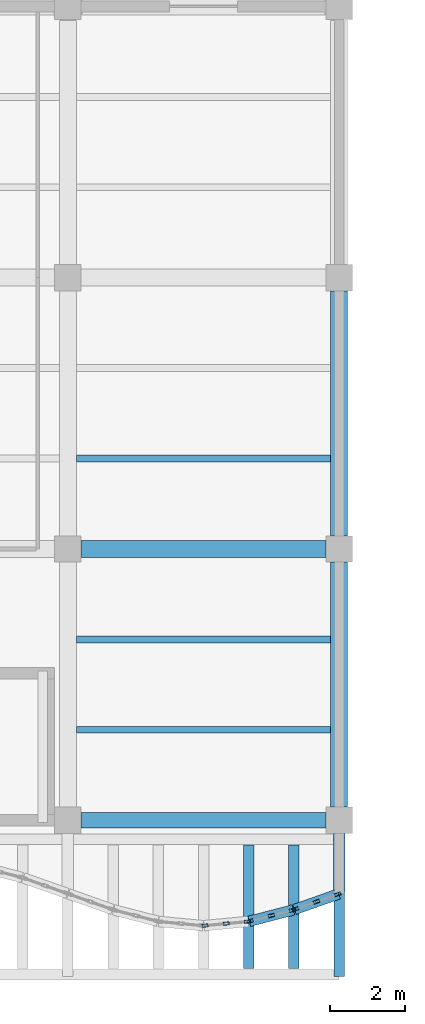
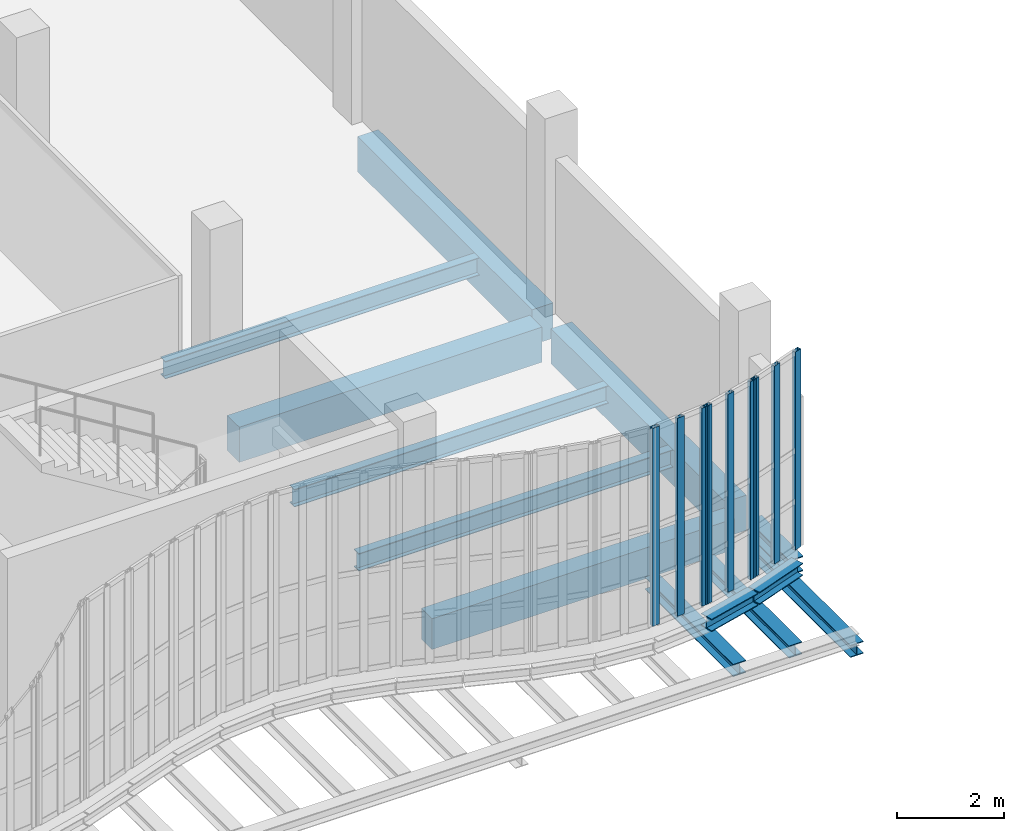
# One storey, part 39 of 108: 13 beams, 9 members, 3 elements without a shape of their own.
"""IFC4 building model written with IfcOpenShell, lengths in metres."""

import ifcopenshell
import ifcopenshell.guid

model = None  # the IFC model being written
_history = None  # IfcOwnerHistory: only IFC2X3 demands one
_inside = {}  # id of a spatial element -> (the spatial element, [elements in it])
_under = {}  # id of a project, library or spatial element -> (it, [spatial elements below it])
_declared = {}  # id of a project -> (the project, [libraries it declares])
_typed = {}  # id of a type object -> (the type object, [elements of that type])
_made_of = {}  # id of a material, layer set ... -> (it, [elements and type objects made of it])


def new_model(schema):
    """Start an empty IFC model of exactly this schema.

    Asked for "IFC4X3", IfcOpenShell would pick the latest addendum, in which some entities
    have other attributes; the version numbers below select the first issue.
    IFC2X3 requires an IfcOwnerHistory on every rooted entity: one is made here for all.
    """
    global model, _history
    if schema == "IFC4X3":
        model = ifcopenshell.file(schema_version=(4, 3, 0, 0))
    else:
        model = ifcopenshell.file(schema=schema)
    _inside.clear()
    _under.clear()
    _declared.clear()
    _typed.clear()
    _made_of.clear()
    _history = None
    if model.schema == "IFC2X3":
        org = make("IfcOrganization", Name="unknown")
        user = make(
            "IfcPersonAndOrganization",
            ThePerson=make("IfcPerson", FamilyName="unknown"),
            TheOrganization=org,
        )
        app = make(
            "IfcApplication",
            ApplicationDeveloper=org,
            Version="unknown",
            ApplicationFullName="unknown",
            ApplicationIdentifier="unknown",
        )
        _history = make(
            "IfcOwnerHistory",
            OwningUser=user,
            OwningApplication=app,
            ChangeAction="ADDED",
            CreationDate=0,
        )
    return model


def make(cls, **values):
    """One entity of the class cls with the attributes given. An attribute that is None is left unset."""
    return model.create_entity(
        cls, **{name: value for name, value in values.items() if value is not None}
    )


def rooted(cls, **values):
    """An entity with a GlobalId (a new one), such as an element, a storey or a relation."""
    return make(cls, GlobalId=ifcopenshell.guid.new(), OwnerHistory=_history, **values)


def si_unit(unit_type, name, prefix=None):
    """IfcSIUnit, for example si_unit("LENGTHUNIT", "METRE", prefix="MILLI")."""
    return make("IfcSIUnit", UnitType=unit_type, Prefix=prefix, Name=name)


def assignment(units):
    """IfcUnitAssignment: the units of a project."""
    return None if units is None else make("IfcUnitAssignment", Units=units)


def point(xyz):
    """IfcCartesianPoint."""
    return None if xyz is None else make("IfcCartesianPoint", Coordinates=xyz)


def direction(xyz):
    """IfcDirection."""
    return None if xyz is None else make("IfcDirection", DirectionRatios=xyz)


def frame(location, z_axis=None, x_axis=None):
    """IfcAxis2Placement3D, a coordinate frame: its origin and axes. An axis left out is left unset."""
    return make(
        "IfcAxis2Placement3D",
        Location=point(location),
        Axis=direction(z_axis),
        RefDirection=direction(x_axis),
    )


def frame_2d(location, x_axis=None):
    """IfcAxis2Placement2D, a coordinate frame in the plane: its origin and x axis."""
    return make(
        "IfcAxis2Placement2D", Location=point(location), RefDirection=direction(x_axis)
    )


def origin():
    """The frame at (0, 0, 0) with its axes left unset."""
    return frame((0.0, 0.0, 0.0))


def origin_2d():
    """The frame at (0, 0) in the plane with its x axis left unset."""
    return frame_2d((0.0, 0.0))


def place(relative_to, where):
    """IfcLocalPlacement: puts the frame where relative to a parent placement (None: the world)."""
    return make(
        "IfcLocalPlacement", PlacementRelTo=relative_to, RelativePlacement=where
    )


def context(
    kind, dimensions, precision=None, world=None, true_north=None, identifier=None
):
    """IfcGeometricRepresentationContext, for example the 3D "Model" context."""
    return make(
        "IfcGeometricRepresentationContext",
        ContextIdentifier=identifier,
        ContextType=kind,
        CoordinateSpaceDimension=dimensions,
        Precision=precision,
        WorldCoordinateSystem=world,
        TrueNorth=true_north,
    )


def subcontext(parent, identifier, kind, view, scale=None):
    """IfcGeometricRepresentationSubContext, for example "Body" below "Model"."""
    return make(
        "IfcGeometricRepresentationSubContext",
        ContextIdentifier=identifier,
        ContextType=kind,
        ParentContext=parent,
        TargetScale=scale,
        TargetView=view,
    )


def project(units=None, contexts=None):
    """IfcProject with its units and contexts."""
    return rooted(
        "IfcProject",
        Name="project",
        RepresentationContexts=contexts,
        UnitsInContext=assignment(units),
    )


def spatial(cls, under=None, at=None, **own):
    """A site, building, storey or space (cls), placed at a placement, below another one or the project."""
    s = rooted(cls, ObjectPlacement=at, **own)
    if under is not None:
        _under.setdefault(under.id(), (under, []))[1].append(s)
    return s


def profile(cls, at=None, kind="AREA", **sizes):
    """A parametric profile (cls). Its sizes go by their IFC names, for example OverallWidth=200.0."""
    return make(cls, ProfileType=kind, Position=at, **sizes)


def rectangle(**sizes):
    """IfcRectangleProfileDef."""
    return profile("IfcRectangleProfileDef", **sizes)


def hollow_rectangle(**sizes):
    """IfcRectangleHollowProfileDef."""
    return profile("IfcRectangleHollowProfileDef", **sizes)


def i_section(**sizes):
    """IfcIShapeProfileDef."""
    return profile("IfcIShapeProfileDef", **sizes)


def extrude(swept, where, along, depth):
    """IfcExtrudedAreaSolid: the profile swept, set in the frame where, extruded along a direction by depth."""
    return make(
        "IfcExtrudedAreaSolid",
        SweptArea=swept,
        Position=where,
        ExtrudedDirection=direction(along),
        Depth=depth,
    )


def shape(context_of_items, identifier, shape_type, items):
    """IfcShapeRepresentation: the items that make up one representation, for example the "Body"."""
    return make(
        "IfcShapeRepresentation",
        ContextOfItems=context_of_items,
        RepresentationIdentifier=identifier,
        RepresentationType=shape_type,
        Items=items,
    )


def material(Name=None, Category=None):
    """IfcMaterial."""
    return make("IfcMaterial", Name=Name, Category=Category)


def layer(
    of_material, thickness, ventilated=None, Name=None, Category=None, Priority=None
):
    """IfcMaterialLayer: one layer of a wall or slab, of a material (None: an air gap)."""
    return make(
        "IfcMaterialLayer",
        Material=of_material,
        LayerThickness=thickness,
        IsVentilated=ventilated,
        Name=Name,
        Category=Category,
        Priority=Priority,
    )


def layer_set(layers, Name=None):
    """IfcMaterialLayerSet."""
    return make("IfcMaterialLayerSet", MaterialLayers=layers, LayerSetName=Name)


def material_profile(
    of_material, cross_section, Name=None, Category=None, Priority=None
):
    """IfcMaterialProfile: a cross section and its material."""
    return make(
        "IfcMaterialProfile",
        Name=Name,
        Material=of_material,
        Profile=cross_section,
        Priority=Priority,
        Category=Category,
    )


def profile_set(profiles, Name=None, composite=None):
    """IfcMaterialProfileSet."""
    return make(
        "IfcMaterialProfileSet",
        Name=Name,
        MaterialProfiles=profiles,
        CompositeProfile=composite,
    )


def made_of(thing, what):
    """Note that an element or type object is made of a material, layer set ...; save() writes the relation."""
    if what is not None:
        _made_of.setdefault(what.id(), (what, []))[1].append(thing)
    return thing


def type_object(cls, material=None, **own):
    """A type object (cls), such as IfcWallType, which elements share."""
    return made_of(rooted(cls, **own), material)


def element(
    cls,
    number,
    at=None,
    inside=None,
    cuts=None,
    type_object=None,
    material=None,
    context=None,
    identifier="Body",
    shape_type=None,
    held_by="IfcProductDefinitionShape",
    body=None,
    shapes=None,
    **own,
):
    """One element of the class cls, such as IfcWall. Its Tag is "e" and its number.

    at: its placement. inside: the storey or other place that contains it. cuts: it is an
    opening in that element (IfcRelVoidsElement). A single representation is given by context,
    identifier, shape_type and body (its items); several are given by shapes. held_by: the class
    of the entity that holds the representations. save() writes the other relations.
    """
    e = rooted(cls, Tag="e%d" % number, ObjectPlacement=at, **own)
    if body is not None:
        shapes = [shape(context, identifier, shape_type, body)]
    if shapes is not None:
        e.Representation = make(held_by, Representations=shapes)
    if inside is not None:
        _inside.setdefault(inside.id(), (inside, []))[1].append(e)
    if cuts is not None:
        rooted(
            "IfcRelVoidsElement", RelatingBuildingElement=cuts, RelatedOpeningElement=e
        )
    if type_object is not None:
        _typed.setdefault(type_object.id(), (type_object, []))[1].append(e)
    return made_of(e, material)


def aggregate(whole, parts):
    """IfcRelAggregates: a whole, such as a stair, and the parts it consists of."""
    return rooted("IfcRelAggregates", RelatingObject=whole, RelatedObjects=parts)


def save(model, path):
    """Write the relations noted so far, then the file.

    IfcRelAggregates (storeys below a building ...), IfcRelContainedInSpatialStructure (elements
    in a storey), IfcRelDefinesByType, IfcRelAssociatesMaterial and IfcRelDeclares: one each for
    every whole, place, type object, material and project.
    """
    for whole, parts in _under.values():
        aggregate(whole, parts)
    for where, things in _inside.values():
        rooted(
            "IfcRelContainedInSpatialStructure",
            RelatedElements=things,
            RelatingStructure=where,
        )
    for kind, things in _typed.values():
        rooted("IfcRelDefinesByType", RelatedObjects=things, RelatingType=kind)
    for what, things in _made_of.values():
        rooted("IfcRelAssociatesMaterial", RelatedObjects=things, RelatingMaterial=what)
    for by, libraries in _declared.values():
        rooted("IfcRelDeclares", RelatingContext=by, RelatedDefinitions=libraries)
    model.write(path)


model = new_model("IFC4")

# Units and contexts
model_context = context("Model", 3, precision=1e-05, world=origin(), true_north=direction((0.0, 1.0)))
body_context = subcontext(model_context, "Body", "Model", "MODEL_VIEW")
ifc_project = project(units=[si_unit("LENGTHUNIT", "METRE"), si_unit("AREAUNIT", "SQUARE_METRE"), si_unit("VOLUMEUNIT", "CUBIC_METRE"), si_unit("PLANEANGLEUNIT", "RADIAN"), si_unit("MASSUNIT", "GRAM", prefix="KILO"), si_unit("THERMODYNAMICTEMPERATUREUNIT", "KELVIN"), si_unit("POWERUNIT", "WATT")], contexts=[model_context])

# Site, building, storey
site_placement = place(None, origin())
site = spatial("IfcSite", under=ifc_project, at=site_placement, CompositionType="ELEMENT")
building_placement = place(site_placement, origin())
building = spatial("IfcBuilding", under=site, at=building_placement, Name="Kaldorven Railside Theatre", CompositionType="ELEMENT")
storey_placement = place(building_placement, frame((0.0, 0.0, 5.39990234375)))
storey = spatial("IfcBuildingStorey", under=building, at=storey_placement, Name="L01", CompositionType="ELEMENT", Elevation=5.39990234375)

# Beams
ifc_material_1 = material(Name="Steel S355", Category="steel")
ifc_material_profile_1 = material_profile(ifc_material_1, i_section(OverallWidth=0.280029296875, OverallDepth=0.280029296875, WebThickness=0.010498046875, FlangeThickness=0.01806640625, at=origin_2d()), Name="HEB 280")
ifc_profile_set_1 = profile_set([ifc_material_profile_1], Name="Steel S355")
beam_type_1 = type_object("IfcBeamType", Name="BM-HEB280", PredefinedType="SPANDREL", material=ifc_profile_set_1)
beam_1_placement = place(storey_placement, frame((123.199951171875, 15.050048828125, -1.0), z_axis=(0.0, 1.0, 0.0), x_axis=(-1.0, 0.0, 0.0)))
element("IfcBeam", 1, at=beam_1_placement, inside=storey, type_object=beam_type_1, Name="L01 Sinusoidal Lower Cantilever Girder FOB-K011", PredefinedType="SPANDREL", context=body_context, shape_type="SweptSolid", body=[
    extrude(i_section(OverallWidth=0.280029296875, OverallDepth=0.280029296875, WebThickness=0.010498046875, FlangeThickness=0.01806640625, at=origin_2d()), origin(), (0.0, 0.0, 1.0), 3.800048828125),
])
beam_2_placement = place(storey_placement, frame((120.814453125, 16.517578125, -0.43994140625), z_axis=(0.967980555895, 0.25102518481, 0.0), x_axis=(-0.25102518481, 0.967980555895, 0.0)))
element("IfcBeam", 2, at=beam_2_placement, inside=storey, type_object=beam_type_1, Name="L01 Sinusoidal Flute Edge Spandrel FSB-071", PredefinedType="SPANDREL", context=body_context, shape_type="SweptSolid", body=[
    extrude(i_section(OverallWidth=0.280029296875, OverallDepth=0.280029296875, WebThickness=0.010498046875, FlangeThickness=0.01806640625, at=origin_2d()), origin(), (0.0, 0.0, 1.0), 1.2099609375),
])
beam_3_placement = place(storey_placement, frame((120.800048828125, 15.260009765625, -0.719970703125), z_axis=(0.0, 1.0, 0.0), x_axis=(-1.0, 0.0, 0.0)))
element("IfcBeam", 3, at=beam_3_placement, inside=storey, type_object=beam_type_1, Name="L01 Sinusoidal Diaphragm Rib Outrigger FOB-M071", PredefinedType="SPANDREL", context=body_context, shape_type="SweptSolid", body=[
    extrude(i_section(OverallWidth=0.280029296875, OverallDepth=0.280029296875, WebThickness=0.010498046875, FlangeThickness=0.01806640625, at=origin_2d()), origin(), (0.0, 0.0, 1.0), 3.280029296875),
])
beam_4_placement = place(storey_placement, frame((122.01416015625, 16.830078125, -0.43994140625), z_axis=(0.942605331688, 0.333908952671, 0.0), x_axis=(-0.333908952671, 0.942605331688, 0.0)))
element("IfcBeam", 4, at=beam_4_placement, inside=storey, type_object=beam_type_1, Name="L01 Sinusoidal Flute Edge Spandrel FSB-072", PredefinedType="SPANDREL", context=body_context, shape_type="SweptSolid", body=[
    extrude(i_section(OverallWidth=0.280029296875, OverallDepth=0.280029296875, WebThickness=0.010498046875, FlangeThickness=0.01806640625, at=origin_2d()), origin(), (0.0, 0.0, 1.0), 1.242919921875),
])
beam_5_placement = place(storey_placement, frame((122.0, 15.260009765625, -0.719970703125), z_axis=(0.0, 1.0, 0.0), x_axis=(-1.0, 0.0, 0.0)))
element("IfcBeam", 5, at=beam_5_placement, inside=storey, type_object=beam_type_1, Name="L01 Sinusoidal Diaphragm Rib Outrigger FOB-M072", PredefinedType="SPANDREL", context=body_context, shape_type="SweptSolid", body=[
    extrude(i_section(OverallWidth=0.280029296875, OverallDepth=0.280029296875, WebThickness=0.010498046875, FlangeThickness=0.01806640625, at=origin_2d()), origin(), (0.0, 0.0, 1.0), 3.280029296875),
])
ifc_material_profile_2 = material_profile(ifc_material_1, i_section(OverallWidth=0.300048828125, OverallDepth=0.340087890625, WebThickness=0.011962890625, FlangeThickness=0.021484375, at=origin_2d()), Name="HEB 340")
ifc_profile_set_2 = profile_set([ifc_material_profile_2], Name="Steel S355")
beam_type_2 = type_object("IfcBeamType", Name="BM-HEB340", PredefinedType="SPANDREL", material=ifc_profile_set_2)
beam_6_placement = place(storey_placement, frame((123.199951171875, 17.31005859375, -0.469970703125), z_axis=(0.0, 1.0, 0.0), x_axis=(-1.0, 0.0, 0.0)))
element("IfcBeam", 6, at=beam_6_placement, inside=storey, type_object=beam_type_2, Name="L01 Sinusoidal Veil Outrigger FOB-1123", PredefinedType="SPANDREL", context=body_context, shape_type="SweptSolid", body=[
    extrude(i_section(OverallWidth=0.300048828125, OverallDepth=0.340087890625, WebThickness=0.011962890625, FlangeThickness=0.021484375, at=origin_2d()), origin(), (0.0, 0.0, 1.0), 1.5400390625),
])
ifc_material_profile_3 = material_profile(ifc_material_1, i_section(OverallWidth=0.179931640625, OverallDepth=0.39990234375, WebThickness=0.008544921875, FlangeThickness=0.013427734375, at=origin_2d()), Name="IPE 400")
ifc_profile_set_3 = profile_set([ifc_material_profile_3], Name="Steel S355")
beam_type_3 = type_object("IfcBeamType", Name="BM-IPE400", PredefinedType="JOIST", material=ifc_profile_set_3)
for number, where, z_axis, x_axis, name in (
    (7, (116.22509765625, 21.60009765625, -0.5), (1.0, 0.0, 0.0), (0.0, 1.0, 0.0), "L01 Secondary Floor Joist JG-L01-116-0216"),
    (8, (116.22509765625, 24.0, -0.5), (1.0, 0.0, 0.0), (0.0, 1.0, 0.0), "L01 Secondary Floor Joist JG-L01-116-0240"),
    (9, (116.22509765625, 28.800048828125, -0.5), (1.0, 0.0, 0.0), (0.0, 1.0, 0.0), "L01 Secondary Floor Joist JG-L01-116-0288"),
):
    element("IfcBeam", number, at=place(storey_placement, frame(where, z_axis=z_axis, x_axis=x_axis)), inside=storey, type_object=beam_type_3, Name=name, PredefinedType="JOIST", context=body_context, shape_type="SweptSolid", body=[
        extrude(i_section(OverallWidth=0.179931640625, OverallDepth=0.39990234375, WebThickness=0.008544921875, FlangeThickness=0.013427734375, at=origin_2d()), origin(), (0.0, 0.0, 1.0), 6.75),
    ])
ifc_material_2 = material(Name="Concrete C40/50", Category="concrete")
ifc_material_profile_4 = material_profile(ifc_material_2, rectangle(XDim=0.39990234375, YDim=0.699951171875, at=origin_2d()), Name="RC 400x700")
ifc_profile_set_4 = profile_set([ifc_material_profile_4], Name="Concrete C40/50")
beam_type_4 = type_object("IfcBeamType", Name="BM-RC400x700", PredefinedType="BEAM", material=ifc_profile_set_4)
beam_7_placement = place(storey_placement, frame((116.35009765625, 19.199951171875, -0.64990234375), z_axis=(1.0, 0.0, 0.0), x_axis=(0.0, 1.0, 0.0)))
element("IfcBeam", 10, at=beam_7_placement, inside=storey, type_object=beam_type_4, Name="L01 Girder BGX-L01-116-019", PredefinedType="BEAM", context=body_context, shape_type="SweptSolid", body=[
    extrude(rectangle(XDim=0.39990234375, YDim=0.699951171875, at=origin_2d()), origin(), (0.0, 0.0, 1.0), 6.5),
])
ifc_material_profile_5 = material_profile(ifc_material_2, rectangle(XDim=0.449951171875, YDim=0.800048828125, at=origin_2d()), Name="RC 450x800")
ifc_profile_set_5 = profile_set([ifc_material_profile_5], Name="Concrete C40/50")
beam_type_5 = type_object("IfcBeamType", Name="BM-RC450x800", PredefinedType="BEAM", material=ifc_profile_set_5)
for number, where, z_axis, x_axis, name in (
    (11, (123.199951171875, 19.550048828125, -0.699951171875), (0.0, 1.0, 0.0), (-1.0, 0.0, 0.0), "L01 Girder BGY-L01-123-019-72"),
    (12, (116.35009765625, 26.39990234375, -0.699951171875), (1.0, 0.0, 0.0), (0.0, 1.0, 0.0), "L01 Girder BGX-L01-116-026"),
    (13, (123.199951171875, 26.75, -0.699951171875), (0.0, 1.0, 0.0), (-1.0, 0.0, 0.0), "L01 Girder BGY-L01-123-026-72"),
):
    element("IfcBeam", number, at=place(storey_placement, frame(where, z_axis=z_axis, x_axis=x_axis)), inside=storey, type_object=beam_type_5, Name=name, PredefinedType="BEAM", context=body_context, shape_type="SweptSolid", body=[
        extrude(rectangle(XDim=0.449951171875, YDim=0.800048828125, at=origin_2d()), origin(), (0.0, 0.0, 1.0), 6.5),
    ])

# Curtain wall, members
ifc_material_3 = material(Name="Low-E laminated solar-control glass", Category="glass")
ifc_layer_1 = layer(ifc_material_3, 0.159912109375, Name="Low-E laminated solar-control glass")
ifc_layer_set_1 = layer_set([ifc_layer_1], Name="Low-E laminated solar-control glass")
curtain_wall_type_1 = type_object("IfcCurtainWallType", Name="CWT-03", PredefinedType="USERDEFINED", material=ifc_layer_set_1)
curtain_wall_1_placement = place(storey_placement, origin())
curtain_wall_1 = element("IfcCurtainWall", 14, at=curtain_wall_1_placement, inside=storey, type_object=curtain_wall_type_1, Name="Sinusoidal Fluted Curtain Wall CW-L01-S70", ObjectType="FLUTED GLAZING", PredefinedType="USERDEFINED")
ifc_material_4 = material(Name="Anodised bronze aluminium", Category="aluminium")
ifc_material_profile_6 = material_profile(ifc_material_4, hollow_rectangle(XDim=0.080078125, YDim=0.159912109375, WallThickness=0.00634765625, at=origin_2d()), Name="RHS 160x80x6.3")
ifc_profile_set_6 = profile_set([ifc_material_profile_6], Name="Anodised bronze aluminium")
member_type = type_object("IfcMemberType", Name="CWM-160", PredefinedType="MULLION", material=ifc_profile_set_6)
member_1_placement = place(storey_placement, frame((119.639892578125, 16.40380859375, 0.0), z_axis=(0.0, 0.0, 1.0), x_axis=(-0.094491973758, 0.995525623425, 0.0)))
member_1 = element("IfcMember", 15, at=member_1_placement, type_object=member_type, Name="CW-L01-S70 mullion 1", PredefinedType="MULLION", context=body_context, shape_type="SweptSolid", body=[
    extrude(hollow_rectangle(XDim=0.080078125, YDim=0.159912109375, WallThickness=0.00634765625, at=origin_2d()), origin(), (0.0, 0.0, 1.0), 4.5),
])
member_2_placement = place(storey_placement, frame((120.199951171875, 16.45703125, 0.0), z_axis=(0.0, 0.0, 1.0), x_axis=(-0.094491973758, 0.995525623425, 0.0)))
member_2 = element("IfcMember", 16, at=member_2_placement, type_object=member_type, Name="CW-L01-S70 mullion 2", PredefinedType="MULLION", context=body_context, shape_type="SweptSolid", body=[
    extrude(hollow_rectangle(XDim=0.080078125, YDim=0.159912109375, WallThickness=0.00634765625, at=origin_2d()), origin(), (0.0, 0.0, 1.0), 4.5),
])
member_3_placement = place(storey_placement, frame((120.76025390625, 16.510009765625, 0.0), z_axis=(0.0, 0.0, 1.0), x_axis=(-0.094491973758, 0.995525623425, 0.0)))
member_3 = element("IfcMember", 17, at=member_3_placement, type_object=member_type, Name="CW-L01-S70 mullion 3", PredefinedType="MULLION", context=body_context, shape_type="SweptSolid", body=[
    extrude(hollow_rectangle(XDim=0.080078125, YDim=0.159912109375, WallThickness=0.00634765625, at=origin_2d()), origin(), (0.0, 0.0, 1.0), 4.5),
])
aggregate(curtain_wall_1, [member_1, member_2, member_3])

ifc_layer_2 = layer(ifc_material_3, 0.159912109375, Name="Low-E laminated solar-control glass")
ifc_layer_set_2 = layer_set([ifc_layer_2], Name="Low-E laminated solar-control glass")
curtain_wall_type_2 = type_object("IfcCurtainWallType", Name="CWT-02", PredefinedType="USERDEFINED", material=ifc_layer_set_2)
curtain_wall_2_placement = place(storey_placement, origin())
curtain_wall_2 = element("IfcCurtainWall", 18, at=curtain_wall_2_placement, inside=storey, type_object=curtain_wall_type_2, Name="Sinusoidal Fluted Curtain Wall CW-L01-S71", ObjectType="FLUTED GLAZING", PredefinedType="USERDEFINED")
member_4_placement = place(storey_placement, frame((120.838623046875, 16.52392578125, 0.0), z_axis=(0.0, 0.0, 1.0), x_axis=(-0.250953760326, 0.967999075505, 0.0)))
member_4 = element("IfcMember", 19, at=member_4_placement, type_object=member_type, Name="CW-L01-S71 mullion 1", PredefinedType="MULLION", context=body_context, shape_type="SweptSolid", body=[
    extrude(hollow_rectangle(XDim=0.080078125, YDim=0.159912109375, WallThickness=0.00634765625, at=origin_2d()), origin(), (0.0, 0.0, 1.0), 4.5),
])
member_5_placement = place(storey_placement, frame((121.39990234375, 16.66943359375, 0.0), z_axis=(0.0, 0.0, 1.0), x_axis=(-0.250953760326, 0.967999075505, 0.0)))
member_5 = element("IfcMember", 20, at=member_5_placement, type_object=member_type, Name="CW-L01-S71 mullion 2", PredefinedType="MULLION", context=body_context, shape_type="SweptSolid", body=[
    extrude(hollow_rectangle(XDim=0.080078125, YDim=0.159912109375, WallThickness=0.00634765625, at=origin_2d()), origin(), (0.0, 0.0, 1.0), 4.5),
])
member_6_placement = place(storey_placement, frame((121.961181640625, 16.81494140625, 0.0), z_axis=(0.0, 0.0, 1.0), x_axis=(-0.250953760326, 0.967999075505, 0.0)))
member_6 = element("IfcMember", 21, at=member_6_placement, type_object=member_type, Name="CW-L01-S71 mullion 3", PredefinedType="MULLION", context=body_context, shape_type="SweptSolid", body=[
    extrude(hollow_rectangle(XDim=0.080078125, YDim=0.159912109375, WallThickness=0.00634765625, at=origin_2d()), origin(), (0.0, 0.0, 1.0), 4.5),
])
aggregate(curtain_wall_2, [member_4, member_5, member_6])

ifc_layer_3 = layer(ifc_material_3, 0.159912109375, Name="Low-E laminated solar-control glass")
ifc_layer_set_3 = layer_set([ifc_layer_3], Name="Low-E laminated solar-control glass")
curtain_wall_type_3 = type_object("IfcCurtainWallType", Name="CWT-01", PredefinedType="USERDEFINED", material=ifc_layer_set_3)
curtain_wall_3_placement = place(storey_placement, origin())
curtain_wall_3 = element("IfcCurtainWall", 22, at=curtain_wall_3_placement, inside=storey, type_object=curtain_wall_type_3, Name="Sinusoidal Fluted Curtain Wall CW-L01-S72", ObjectType="FLUTED GLAZING", PredefinedType="USERDEFINED")
member_7_placement = place(storey_placement, frame((122.03759765625, 16.83837890625, 0.0), z_axis=(0.0, 0.0, 1.0), x_axis=(-0.33384714225, 0.942627225159, 0.0)))
member_7 = element("IfcMember", 23, at=member_7_placement, type_object=member_type, Name="CW-L01-S72 mullion 1", PredefinedType="MULLION", context=body_context, shape_type="SweptSolid", body=[
    extrude(hollow_rectangle(XDim=0.080078125, YDim=0.159912109375, WallThickness=0.00634765625, at=origin_2d()), origin(), (0.0, 0.0, 1.0), 4.5),
])
member_8_placement = place(storey_placement, frame((122.60009765625, 17.03759765625, 0.0), z_axis=(0.0, 0.0, 1.0), x_axis=(-0.33384714225, 0.942627225159, 0.0)))
member_8 = element("IfcMember", 24, at=member_8_placement, type_object=member_type, Name="CW-L01-S72 mullion 2", PredefinedType="MULLION", context=body_context, shape_type="SweptSolid", body=[
    extrude(hollow_rectangle(XDim=0.080078125, YDim=0.159912109375, WallThickness=0.00634765625, at=origin_2d()), origin(), (0.0, 0.0, 1.0), 4.5),
])
member_9_placement = place(storey_placement, frame((123.162353515625, 17.236572265625, 0.0), z_axis=(0.0, 0.0, 1.0), x_axis=(-0.33384714225, 0.942627225159, 0.0)))
member_9 = element("IfcMember", 25, at=member_9_placement, type_object=member_type, Name="CW-L01-S72 mullion 3", PredefinedType="MULLION", context=body_context, shape_type="SweptSolid", body=[
    extrude(hollow_rectangle(XDim=0.080078125, YDim=0.159912109375, WallThickness=0.00634765625, at=origin_2d()), origin(), (0.0, 0.0, 1.0), 4.5),
])
aggregate(curtain_wall_3, [member_7, member_8, member_9])

save(model, "model.ifc")
